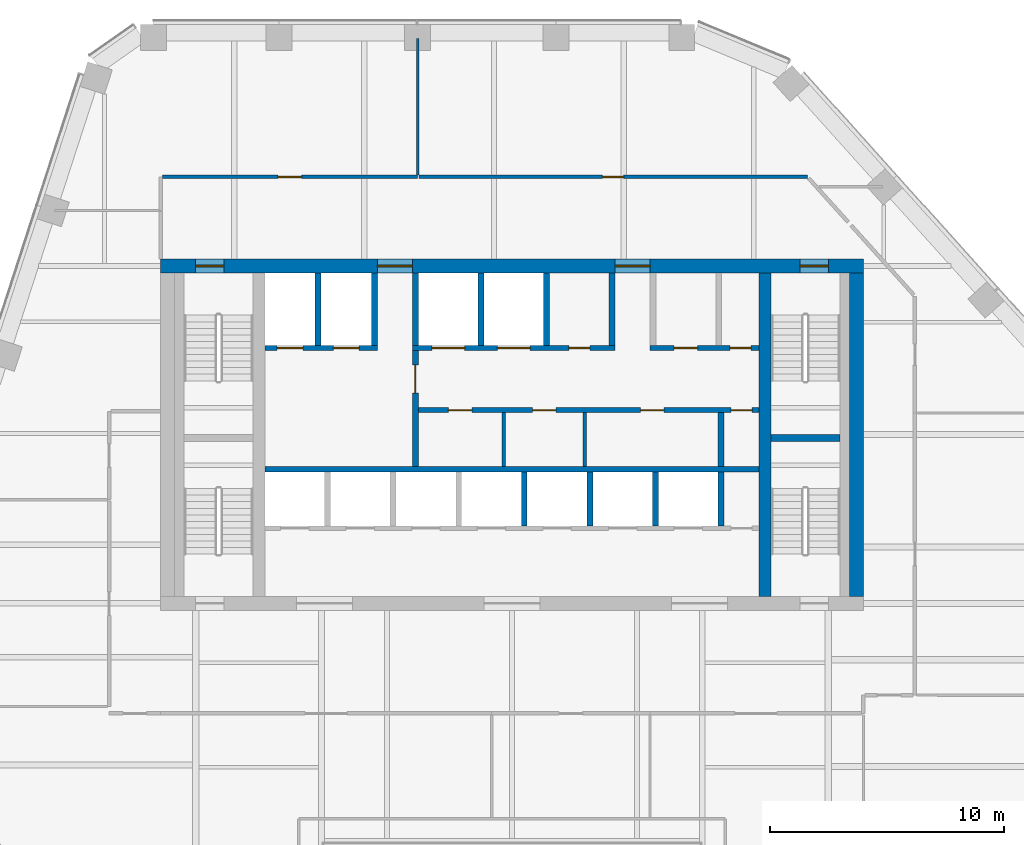
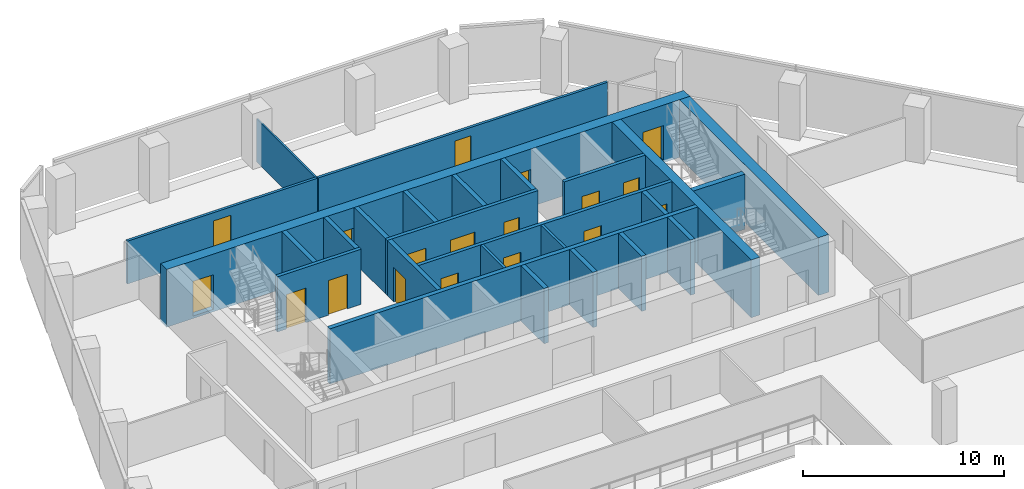
# One storey, part 10 of 16: 26 walls, 18 doors, 18 openings.
"""IFC4 building model written with IfcOpenShell, lengths in metres."""

from ifc_helpers import new_model, si_unit, direction, frame, frame_2d, origin, place, context, subcontext, project, spatial, rectangle, extrude, material, layer, layer_set, type_object, element, fill, save


model = new_model("IFC4")

# Units and contexts
model_context = context("Model", 3, precision=1e-05, world=origin(), true_north=direction((0.0, 1.0)))
body_context = subcontext(model_context, "Body", "Model", "MODEL_VIEW")
ifc_project = project(units=[si_unit("LENGTHUNIT", "METRE"), si_unit("AREAUNIT", "SQUARE_METRE"), si_unit("VOLUMEUNIT", "CUBIC_METRE"), si_unit("PLANEANGLEUNIT", "RADIAN"), si_unit("MASSUNIT", "GRAM", prefix="KILO")], contexts=[model_context])

# Site, building, storey
site_placement = place(None, origin())
site = spatial("IfcSite", under=ifc_project, at=site_placement, CompositionType="ELEMENT")
building_placement = place(site_placement, origin())
building = spatial("IfcBuilding", under=site, at=building_placement, Name="Isthmus Gate Tower", CompositionType="ELEMENT")
storey_placement = place(building_placement, frame((0.0, 0.0, 252.800048828125)))
storey = spatial("IfcBuildingStorey", under=building, at=storey_placement, Name="L64", CompositionType="ELEMENT", Elevation=252.800048828125)

# Wall, opening, door
ifc_material_1 = material(Name="Gypsum board on steel studs, fire-rated", Category="steel")
ifc_layer_1 = layer(ifc_material_1, 0.14990234375)
ifc_layer_set_1 = layer_set([ifc_layer_1], Name="CORRIDOR WALL 150 60 MIN")
wall_type_1 = type_object("IfcWallType", Name="CORRIDOR WALL 150 60 MIN", PredefinedType="PARTITIONING", material=ifc_layer_set_1)
wall_1_placement = place(storey_placement, frame((-14.925048828125, 18.5, 0.0), z_axis=(0.0, 0.0, 1.0), x_axis=(1.0, 0.0, 0.0)))
wall_1 = element("IfcWall", 1, at=wall_1_placement, inside=storey, type_object=wall_type_1, Name="L64 Corridor Wall 150 60 Min", PredefinedType="PARTITIONING", context=body_context, shape_type="SweptSolid", body=[
    extrude(rectangle(XDim=10.89501953125, YDim=0.14990234375, at=frame_2d((5.447509765625, 0.0))), origin(), (0.0, 0.0, 1.0), 2.6005859375),
])
opening_1_placement = place(wall_1_placement, frame((4.947509765625, 0.0, 0.0)))
opening_1 = element("IfcOpeningElement", 2, at=opening_1_placement, cuts=wall_1, Name="Opening DT-T5D-01", PredefinedType="OPENING", context=body_context, shape_type="SweptSolid", body=[
    extrude(rectangle(XDim=1.0, YDim=2.10009765625, at=frame_2d((0.5, 1.050048828125))), frame((0.0, 0.0849609375, 0.0), z_axis=(0.0, -1.0, 0.0), x_axis=(1.0, 0.0, 0.0)), (0.0, 0.0, 1.0), 0.169921875),
])
ifc_material_2 = material(Name="Solid core timber door leaf, fire-rated", Category="wood")
door_type_1 = type_object("IfcDoorType", Name="FIRE DOOR ROOM 1000 X 2100 60 MIN", OperationType="SINGLE_SWING_LEFT", PredefinedType="DOOR", material=ifc_material_2)
door_1_placement = place(opening_1_placement, origin())
door_1 = element("IfcDoor", 3, at=door_1_placement, inside=storey, type_object=door_type_1, Name="L64 room door", OperationType="SINGLE_SWING_RIGHT", OverallHeight=2.10009765625, OverallWidth=1.0, PredefinedType="DOOR", context=body_context, shape_type="SweptSolid", body=[
    extrude(rectangle(XDim=1.0, YDim=2.10009765625, at=frame_2d((0.5, 1.050048828125))), frame((0.0, 0.02490234375, 0.0), z_axis=(0.0, -1.0, 0.0), x_axis=(1.0, 0.0, 0.0)), (0.0, 0.0, 1.0), 0.050048828125),
])
fill(opening_1, door_1)

wall_2_placement = place(storey_placement, frame((-3.97998046875, 18.5, 0.0), z_axis=(0.0, 0.0, 1.0), x_axis=(1.0, 0.0, 0.0)))
wall_2 = element("IfcWall", 4, at=wall_2_placement, inside=storey, type_object=wall_type_1, Name="L64 Corridor Wall 150 60 Min", PredefinedType="PARTITIONING", context=body_context, shape_type="SweptSolid", body=[
    extrude(rectangle(XDim=16.594970703125, YDim=0.14990234375, at=frame_2d((8.29736328125, 0.0))), origin(), (0.0, 0.0, 1.0), 2.6005859375),
])
opening_2_placement = place(wall_2_placement, frame((7.847412109375, 0.0, 0.0)))
opening_2 = element("IfcOpeningElement", 5, at=opening_2_placement, cuts=wall_2, Name="Opening DT-T5D-02", PredefinedType="OPENING", context=body_context, shape_type="SweptSolid", body=[
    extrude(rectangle(XDim=0.89990234375, YDim=2.10009765625, at=frame_2d((0.449951171875, 1.050048828125))), frame((0.0, 0.0849609375, 0.0), z_axis=(0.0, -1.0, 0.0), x_axis=(1.0, 0.0, 0.0)), (0.0, 0.0, 1.0), 0.169921875),
])
ifc_material_3 = material(Name="Solid core timber door leaf, fire-rated", Category="wood")
door_type_2 = type_object("IfcDoorType", Name="FIRE DOOR ROOM 900 X 2100 60 MIN", OperationType="SINGLE_SWING_LEFT", PredefinedType="DOOR", material=ifc_material_3)
door_2_placement = place(opening_2_placement, origin())
door_2 = element("IfcDoor", 6, at=door_2_placement, inside=storey, type_object=door_type_2, Name="L64 room door", OperationType="SINGLE_SWING_RIGHT", OverallHeight=2.10009765625, OverallWidth=0.89990234375, PredefinedType="DOOR", context=body_context, shape_type="SweptSolid", body=[
    extrude(rectangle(XDim=0.89990234375, YDim=2.10009765625, at=frame_2d((0.449951171875, 1.050048828125))), frame((0.0, 0.02490234375, 0.0), z_axis=(0.0, -1.0, 0.0), x_axis=(1.0, 0.0, 0.0)), (0.0, 0.0, 1.0), 0.050048828125),
])
fill(opening_2, door_2)

ifc_material_4 = material(Name="Fire-rated blockwork masonry, 15 MPa", Category="masonry")
ifc_layer_2 = layer(ifc_material_4, 0.25)
ifc_layer_set_2 = layer_set([ifc_layer_2], Name="FIRE-FIGHTING LOBBY WALL 250 90 MIN")
wall_type_2 = type_object("IfcWallType", Name="FIRE-FIGHTING LOBBY WALL 250 90 MIN", PredefinedType="PARTITIONING", material=ifc_layer_set_2)
wall_3_placement = place(storey_placement, frame((-4.125, 6.14990234375, 0.0), z_axis=(0.0, 0.0, 1.0), x_axis=(0.0, 1.0, 0.0)))
wall_3 = element("IfcWall", 7, at=wall_3_placement, inside=storey, type_object=wall_type_2, Name="L64 FIRE-FIGHTING LOBBY WALL 250 90 MIN", PredefinedType="PARTITIONING", context=body_context, shape_type="SweptSolid", body=[
    extrude(rectangle(XDim=4.9501953125, YDim=0.25, at=frame_2d((2.47509765625, 0.0))), origin(), (0.0, 0.0, 1.0), 3.349853515625),
])
opening_3_placement = place(wall_3_placement, frame((3.125, 0.0, 0.0)))
opening_3 = element("IfcOpeningElement", 8, at=opening_3_placement, cuts=wall_3, Name="Opening DC-A18-01", PredefinedType="OPENING", context=body_context, shape_type="SweptSolid", body=[
    extrude(rectangle(XDim=1.199951171875, YDim=2.10009765625, at=frame_2d((0.60009765625, 1.050048828125))), frame((0.0, 0.135009765625, 0.0), z_axis=(0.0, -1.0, 0.0), x_axis=(1.0, 0.0, 0.0)), (0.0, 0.0, 1.0), 0.27001953125),
])
ifc_material_5 = material(Name="Steel door leaf, fire-rated", Category="steel")
door_type_3 = type_object("IfcDoorType", Name="LOBBY FIRE DOOR 1200 X 2100 90 MIN", OperationType="DOUBLE_DOOR_SINGLE_SWING", PredefinedType="DOOR", material=ifc_material_5)
door_3_placement = place(opening_3_placement, origin())
door_3 = element("IfcDoor", 9, at=door_3_placement, inside=storey, type_object=door_type_3, Name="Fire-fighting Lobby Door", OperationType="SINGLE_SWING_LEFT", OverallHeight=2.10009765625, OverallWidth=1.199951171875, PredefinedType="DOOR", context=body_context, shape_type="SweptSolid", body=[
    extrude(rectangle(XDim=1.199951171875, YDim=2.10009765625, at=frame_2d((0.60009765625, 1.050048828125))), frame((0.0, 0.02490234375, 0.0), z_axis=(0.0, -1.0, 0.0), x_axis=(1.0, 0.0, 0.0)), (0.0, 0.0, 1.0), 0.050048828125),
])
fill(opening_3, door_3)

# Wall
ifc_material_6 = material(Name="Concrete f'c 50 MPa", Category="concrete")
ifc_layer_3 = layer(ifc_material_6, 0.5)
ifc_layer_set_3 = layer_set([ifc_layer_3], Name="RC CORE SPINE WALL 500 F'C 50")
wall_type_3 = type_object("IfcWallType", Name="RC CORE SPINE WALL 500 F'C 50", PredefinedType="SOLIDWALL", material=ifc_layer_set_3)
wall_4_placement = place(storey_placement, frame((10.800048828125, 0.60009765625, -0.150146484375), z_axis=(0.0, 0.0, 1.0), x_axis=(0.0, 1.0, 0.0)))
element("IfcWall", 10, at=wall_4_placement, inside=storey, type_object=wall_type_3, Name="str-corewall-L64-SPE", PredefinedType="SOLIDWALL", context=body_context, shape_type="SweptSolid", body=[
    extrude(rectangle(XDim=13.7998046875, YDim=0.5, at=frame_2d((6.89990234375, 0.0))), origin(), (0.0, 0.0, 1.0), 3.5),
])

# Wall, openings, doors
ifc_material_7 = material(Name="Concrete f'c 50 MPa", Category="concrete")
ifc_layer_4 = layer(ifc_material_7, 0.60009765625)
ifc_layer_set_4 = layer_set([ifc_layer_4], Name="RC CORE WALL 600 F'C 50")
wall_type_4 = type_object("IfcWallType", Name="RC CORE WALL 600 F'C 50", PredefinedType="SOLIDWALL", material=ifc_layer_set_4)
wall_5_placement = place(storey_placement, frame((-15.0, 14.699951171875, -0.150146484375), z_axis=(0.0, 0.0, 1.0), x_axis=(1.0, 0.0, 0.0)))
wall_5 = element("IfcWall", 11, at=wall_5_placement, inside=storey, type_object=wall_type_4, Name="str-corewall-L64-N", PredefinedType="SOLIDWALL", context=body_context, shape_type="SweptSolid", body=[
    extrude(rectangle(XDim=30.0, YDim=0.60009765625, at=frame_2d((15.0, 0.0))), origin(), (0.0, 0.0, 1.0), 3.5),
])
opening_4_placement = place(wall_5_placement, frame((9.25, 0.0, 0.14990234375)))
opening_4 = element("IfcOpeningElement", 12, at=opening_4_placement, cuts=wall_5, Name="Opening DC-A18-13", PredefinedType="OPENING", context=body_context, shape_type="SweptSolid", body=[
    extrude(rectangle(XDim=1.5, YDim=2.10009765625, at=frame_2d((0.75, 1.050048828125))), frame((0.0, 0.31005859375, 0.0), z_axis=(0.0, -1.0, 0.0), x_axis=(1.0, 0.0, 0.0)), (0.0, 0.0, 1.0), 0.6201171875),
])
opening_5_placement = place(wall_5_placement, frame((19.39990234375, 0.0, 0.14990234375)))
opening_5 = element("IfcOpeningElement", 13, at=opening_5_placement, cuts=wall_5, Name="Opening DC-A18-14", PredefinedType="OPENING", context=body_context, shape_type="SweptSolid", body=[
    extrude(rectangle(XDim=1.5, YDim=2.10009765625, at=frame_2d((0.75, 1.050048828125))), frame((0.0, 0.31005859375, 0.0), z_axis=(0.0, -1.0, 0.0), x_axis=(1.0, 0.0, 0.0)), (0.0, 0.0, 1.0), 0.6201171875),
])
opening_6_placement = place(wall_5_placement, frame((1.5, 0.0, 0.14990234375)))
opening_6 = element("IfcOpeningElement", 14, at=opening_6_placement, cuts=wall_5, Name="Opening DC-A18-15", PredefinedType="OPENING", context=body_context, shape_type="SweptSolid", body=[
    extrude(rectangle(XDim=1.199951171875, YDim=2.10009765625, at=frame_2d((0.60009765625, 1.050048828125))), frame((0.0, 0.31005859375, 0.0), z_axis=(0.0, -1.0, 0.0), x_axis=(1.0, 0.0, 0.0)), (0.0, 0.0, 1.0), 0.6201171875),
])
opening_7_placement = place(wall_5_placement, frame((27.300048828125, 0.0, 0.14990234375)))
opening_7 = element("IfcOpeningElement", 15, at=opening_7_placement, cuts=wall_5, Name="Opening DC-A18-16", PredefinedType="OPENING", context=body_context, shape_type="SweptSolid", body=[
    extrude(rectangle(XDim=1.199951171875, YDim=2.10009765625, at=frame_2d((0.60009765625, 1.050048828125))), frame((0.0, 0.31005859375, 0.0), z_axis=(0.0, -1.0, 0.0), x_axis=(1.0, 0.0, 0.0)), (0.0, 0.0, 1.0), 0.6201171875),
])
ifc_material_8 = material(Name="Steel door leaf, fire-rated", Category="steel")
door_type_4 = type_object("IfcDoorType", Name="LOBBY FIRE DOOR 1500 X 2100 60 MIN", OperationType="DOUBLE_DOOR_SINGLE_SWING", PredefinedType="DOOR", material=ifc_material_8)
door_4_placement = place(opening_5_placement, origin())
door_4 = element("IfcDoor", 16, at=door_4_placement, inside=storey, type_object=door_type_4, Name="Lobby Door PN-E", OperationType="DOUBLE_DOOR_SINGLE_SWING", OverallHeight=2.10009765625, OverallWidth=1.5, PredefinedType="DOOR", context=body_context, shape_type="SweptSolid", body=[
    extrude(rectangle(XDim=1.5, YDim=2.10009765625, at=frame_2d((0.75, 1.050048828125))), frame((0.0, 0.02490234375, 0.0), z_axis=(0.0, -1.0, 0.0), x_axis=(1.0, 0.0, 0.0)), (0.0, 0.0, 1.0), 0.050048828125),
])
fill(opening_5, door_4)
ifc_material_9 = material(Name="Steel door leaf, fire-rated", Category="steel")
door_type_5 = type_object("IfcDoorType", Name="LOBBY FIRE DOOR 1500 X 2100 90 MIN", OperationType="DOUBLE_DOOR_SINGLE_SWING", PredefinedType="DOOR", material=ifc_material_9)
door_5_placement = place(opening_4_placement, origin())
door_5 = element("IfcDoor", 17, at=door_5_placement, inside=storey, type_object=door_type_5, Name="Lobby Door PN-W", OperationType="DOUBLE_DOOR_SINGLE_SWING", OverallHeight=2.10009765625, OverallWidth=1.5, PredefinedType="DOOR", context=body_context, shape_type="SweptSolid", body=[
    extrude(rectangle(XDim=1.5, YDim=2.10009765625, at=frame_2d((0.75, 1.050048828125))), frame((0.0, 0.02490234375, 0.0), z_axis=(0.0, -1.0, 0.0), x_axis=(1.0, 0.0, 0.0)), (0.0, 0.0, 1.0), 0.050048828125),
])
fill(opening_4, door_5)
ifc_material_10 = material(Name="Steel door leaf, fire-rated", Category="steel")
door_type_6 = type_object("IfcDoorType", Name="STAIR FIRE DOOR 1200 X 2100 90 MIN", OperationType="SINGLE_SWING_LEFT", PredefinedType="DOOR", material=ifc_material_10)
door_6_placement = place(opening_6_placement, origin())
door_6 = element("IfcDoor", 18, at=door_6_placement, inside=storey, type_object=door_type_6, Name="Exit Stair 1 Door", OperationType="SINGLE_SWING_RIGHT", OverallHeight=2.10009765625, OverallWidth=1.199951171875, PredefinedType="DOOR", context=body_context, shape_type="SweptSolid", body=[
    extrude(rectangle(XDim=1.199951171875, YDim=2.10009765625, at=frame_2d((0.60009765625, 1.050048828125))), frame((0.0, 0.02490234375, 0.0), z_axis=(0.0, -1.0, 0.0), x_axis=(1.0, 0.0, 0.0)), (0.0, 0.0, 1.0), 0.050048828125),
])
fill(opening_6, door_6)
door_7_placement = place(opening_7_placement, origin())
door_7 = element("IfcDoor", 19, at=door_7_placement, inside=storey, type_object=door_type_6, Name="Exit Stair 2 Door", OperationType="SINGLE_SWING_LEFT", OverallHeight=2.10009765625, OverallWidth=1.199951171875, PredefinedType="DOOR", context=body_context, shape_type="SweptSolid", body=[
    extrude(rectangle(XDim=1.199951171875, YDim=2.10009765625, at=frame_2d((0.60009765625, 1.050048828125))), frame((0.0, 0.02490234375, 0.0), z_axis=(0.0, -1.0, 0.0), x_axis=(1.0, 0.0, 0.0)), (0.0, 0.0, 1.0), 0.050048828125),
])
fill(opening_7, door_7)

# Walls
wall_6_placement = place(storey_placement, frame((14.699951171875, 0.60009765625, -0.150146484375), z_axis=(0.0, 0.0, 1.0), x_axis=(0.0, 1.0, 0.0)))
element("IfcWall", 20, at=wall_6_placement, inside=storey, type_object=wall_type_4, Name="str-corewall-L64-E", PredefinedType="SOLIDWALL", context=body_context, shape_type="SweptSolid", body=[
    extrude(rectangle(XDim=13.7998046875, YDim=0.60009765625, at=frame_2d((6.89990234375, 0.0))), origin(), (0.0, 0.0, 1.0), 3.5),
])
ifc_material_11 = material(Name="Gypsum board on steel studs, fire-rated", Category="steel")
ifc_layer_5 = layer(ifc_material_11, 0.10009765625)
ifc_layer_set_5 = layer_set([ifc_layer_5], Name="ROOM PARTITION 100 30 MIN")
wall_type_5 = type_object("IfcWallType", Name="ROOM PARTITION 100 30 MIN", PredefinedType="PARTITIONING", material=ifc_layer_set_5)
wall_7_placement = place(storey_placement, frame((-4.030029296875, 18.574951171875, 0.0), z_axis=(0.0, 0.0, 1.0), x_axis=(0.0, 1.0, 0.0)))
element("IfcWall", 21, at=wall_7_placement, inside=storey, type_object=wall_type_5, Name="L64 Room Partition 100 30 Min", PredefinedType="PARTITIONING", context=body_context, shape_type="SweptSolid", body=[
    extrude(rectangle(XDim=5.824951171875, YDim=0.10009765625, at=frame_2d((2.91259765625, 0.0))), origin(), (0.0, 0.0, 1.0), 2.6005859375),
])
ifc_material_12 = material(Name="Gypsum board on steel studs, fire-rated", Category="steel")
ifc_layer_6 = layer(ifc_material_12, 0.14990234375)
ifc_layer_set_6 = layer_set([ifc_layer_6], Name="ROOM PARTITION 150 60 MIN")
wall_type_6 = type_object("IfcWallType", Name="ROOM PARTITION 150 60 MIN", PredefinedType="PARTITIONING", material=ifc_layer_set_6)
for number, where, z_axis, x_axis, name in (
    (22, (-0.35009765625, 6.14990234375, 0.0), (0.0, 0.0, 1.0), (0.0, 1.0, 0.0), "L64 ROOM PARTITION 150 60 MIN"),
    (23, (3.10009765625, 6.14990234375, 0.0), (0.0, 0.0, 1.0), (0.0, 1.0, 0.0), "L64 ROOM PARTITION 150 60 MIN"),
):
    element("IfcWall", number, at=place(storey_placement, frame(where, z_axis=z_axis, x_axis=x_axis)), inside=storey, type_object=wall_type_6, Name=name, PredefinedType="PARTITIONING", context=body_context, shape_type="SweptSolid", body=[
        extrude(rectangle(XDim=2.300048828125, YDim=0.14990234375, at=frame_2d((1.14990234375, 0.0))), origin(), (0.0, 0.0, 1.0), 3.349853515625),
    ])

# Wall, openings, doors
ifc_material_13 = material(Name="Fire-rated blockwork masonry, 15 MPa", Category="masonry")
ifc_layer_7 = layer(ifc_material_13, 0.199951171875)
ifc_layer_set_7 = layer_set([ifc_layer_7], Name="SHAFT FRONT WALL 200 120 MIN")
wall_type_7 = type_object("IfcWallType", Name="SHAFT FRONT WALL 200 120 MIN", PredefinedType="PARTITIONING", material=ifc_layer_set_7)
wall_8_placement = place(storey_placement, frame((-4.125, 8.550048828125, 0.0), z_axis=(0.0, 0.0, 1.0), x_axis=(1.0, 0.0, 0.0)))
wall_8 = element("IfcWall", 24, at=wall_8_placement, inside=storey, type_object=wall_type_7, Name="L64 SHAFT FRONT WALL 200 120 MIN", PredefinedType="PARTITIONING", context=body_context, shape_type="SweptSolid", body=[
    extrude(rectangle(XDim=14.675048828125, YDim=0.199951171875, at=frame_2d((7.33740234375, 0.0))), origin(), (0.0, 0.0, 1.0), 3.349853515625),
])
opening_8_placement = place(wall_8_placement, frame((1.41259765625, 0.0, 0.0)))
opening_8 = element("IfcOpeningElement", 25, at=opening_8_placement, cuts=wall_8, Name="Opening DC-A18-03", PredefinedType="OPENING", context=body_context, shape_type="SweptSolid", body=[
    extrude(rectangle(XDim=1.0, YDim=2.10009765625, at=frame_2d((0.5, 1.050048828125))), frame((0.0, 0.10986328125, 0.0), z_axis=(0.0, -1.0, 0.0), x_axis=(1.0, 0.0, 0.0)), (0.0, 0.0, 1.0), 0.219970703125),
])
opening_9_placement = place(wall_8_placement, frame((5.0, 0.0, 0.0)))
opening_9 = element("IfcOpeningElement", 26, at=opening_9_placement, cuts=wall_8, Name="Opening DC-A18-04", PredefinedType="OPENING", context=body_context, shape_type="SweptSolid", body=[
    extrude(rectangle(XDim=1.0, YDim=2.10009765625, at=frame_2d((0.5, 1.050048828125))), frame((0.0, 0.10986328125, 0.0), z_axis=(0.0, -1.0, 0.0), x_axis=(1.0, 0.0, 0.0)), (0.0, 0.0, 1.0), 0.219970703125),
])
opening_10_placement = place(wall_8_placement, frame((9.612548828125, 0.0, 0.0)))
opening_10 = element("IfcOpeningElement", 27, at=opening_10_placement, cuts=wall_8, Name="Opening DC-A18-05", PredefinedType="OPENING", context=body_context, shape_type="SweptSolid", body=[
    extrude(rectangle(XDim=1.0, YDim=2.10009765625, at=frame_2d((0.5, 1.050048828125))), frame((0.0, 0.10986328125, 0.0), z_axis=(0.0, -1.0, 0.0), x_axis=(1.0, 0.0, 0.0)), (0.0, 0.0, 1.0), 0.219970703125),
])
opening_11_placement = place(wall_8_placement, frame((13.47509765625, 0.0, 0.0)))
opening_11 = element("IfcOpeningElement", 28, at=opening_11_placement, cuts=wall_8, Name="Opening DC-A18-06", PredefinedType="OPENING", context=body_context, shape_type="SweptSolid", body=[
    extrude(rectangle(XDim=0.89990234375, YDim=2.10009765625, at=frame_2d((0.449951171875, 1.050048828125))), frame((0.0, 0.10986328125, 0.0), z_axis=(0.0, -1.0, 0.0), x_axis=(1.0, 0.0, 0.0)), (0.0, 0.0, 1.0), 0.219970703125),
])
ifc_material_14 = material(Name="Steel door leaf, fire-rated", Category="steel")
door_type_7 = type_object("IfcDoorType", Name="FIRE DOOR 1000 X 2100 60 MIN", OperationType="SINGLE_SWING_LEFT", PredefinedType="DOOR", material=ifc_material_14)
door_8_placement = place(opening_8_placement, origin())
door_8 = element("IfcDoor", 29, at=door_8_placement, inside=storey, type_object=door_type_7, Name="WC Women Door", OperationType="SINGLE_SWING_LEFT", OverallHeight=2.10009765625, OverallWidth=1.0, PredefinedType="DOOR", context=body_context, shape_type="SweptSolid", body=[
    extrude(rectangle(XDim=1.0, YDim=2.10009765625, at=frame_2d((0.5, 1.050048828125))), frame((0.0, 0.02490234375, 0.0), z_axis=(0.0, -1.0, 0.0), x_axis=(1.0, 0.0, 0.0)), (0.0, 0.0, 1.0), 0.050048828125),
])
fill(opening_8, door_8)
door_9_placement = place(opening_9_placement, origin())
door_9 = element("IfcDoor", 30, at=door_9_placement, inside=storey, type_object=door_type_7, Name="WC Men Door", OperationType="SINGLE_SWING_RIGHT", OverallHeight=2.10009765625, OverallWidth=1.0, PredefinedType="DOOR", context=body_context, shape_type="SweptSolid", body=[
    extrude(rectangle(XDim=1.0, YDim=2.10009765625, at=frame_2d((0.5, 1.050048828125))), frame((0.0, 0.02490234375, 0.0), z_axis=(0.0, -1.0, 0.0), x_axis=(1.0, 0.0, 0.0)), (0.0, 0.0, 1.0), 0.050048828125),
])
fill(opening_9, door_9)
door_10_placement = place(opening_10_placement, origin())
door_10 = element("IfcDoor", 31, at=door_10_placement, inside=storey, type_object=door_type_7, Name="Accessible WC Door", OperationType="SINGLE_SWING_LEFT", OverallHeight=2.10009765625, OverallWidth=1.0, PredefinedType="DOOR", context=body_context, shape_type="SweptSolid", body=[
    extrude(rectangle(XDim=1.0, YDim=2.10009765625, at=frame_2d((0.5, 1.050048828125))), frame((0.0, 0.02490234375, 0.0), z_axis=(0.0, -1.0, 0.0), x_axis=(1.0, 0.0, 0.0)), (0.0, 0.0, 1.0), 0.050048828125),
])
fill(opening_10, door_10)
ifc_material_15 = material(Name="Steel door leaf, fire-rated", Category="steel")
door_type_8 = type_object("IfcDoorType", Name="RISER FIRE DOOR 900 X 2100 90 MIN", OperationType="SINGLE_SWING_LEFT", PredefinedType="DOOR", material=ifc_material_15)
door_11_placement = place(opening_11_placement, origin())
door_11 = element("IfcDoor", 32, at=door_11_placement, inside=storey, type_object=door_type_8, Name="Riser Door", OperationType="SINGLE_SWING_RIGHT", OverallHeight=2.10009765625, OverallWidth=0.89990234375, PredefinedType="DOOR", context=body_context, shape_type="SweptSolid", body=[
    extrude(rectangle(XDim=0.89990234375, YDim=2.10009765625, at=frame_2d((0.449951171875, 1.050048828125))), frame((0.0, 0.02490234375, 0.0), z_axis=(0.0, -1.0, 0.0), x_axis=(1.0, 0.0, 0.0)), (0.0, 0.0, 1.0), 0.050048828125),
])
fill(opening_11, door_11)

wall_9_placement = place(storey_placement, frame((-10.550048828125, 11.199951171875, 0.0), z_axis=(0.0, 0.0, 1.0), x_axis=(1.0, 0.0, 0.0)))
wall_9 = element("IfcWall", 33, at=wall_9_placement, inside=storey, type_object=wall_type_7, Name="L64 SHAFT FRONT WALL 200 120 MIN", PredefinedType="PARTITIONING", context=body_context, shape_type="SweptSolid", body=[
    extrude(rectangle(XDim=4.800048828125, YDim=0.199951171875, at=frame_2d((2.39990234375, 0.0))), origin(), (0.0, 0.0, 1.0), 3.349853515625),
])
opening_12_placement = place(wall_9_placement, frame((0.52490234375, 0.0, 0.0)))
opening_12 = element("IfcOpeningElement", 34, at=opening_12_placement, cuts=wall_9, Name="Opening LD-LF1", PredefinedType="OPENING", context=body_context, shape_type="SweptSolid", body=[
    extrude(rectangle(XDim=1.10009765625, YDim=2.10009765625, at=frame_2d((0.550048828125, 1.050048828125))), frame((0.0, 0.10986328125, 0.0), z_axis=(0.0, -1.0, 0.0), x_axis=(1.0, 0.0, 0.0)), (0.0, 0.0, 1.0), 0.219970703125),
])
opening_13_placement = place(wall_9_placement, frame((2.925048828125, 0.0, 0.0)))
opening_13 = element("IfcOpeningElement", 35, at=opening_13_placement, cuts=wall_9, Name="Opening LD-LF2", PredefinedType="OPENING", context=body_context, shape_type="SweptSolid", body=[
    extrude(rectangle(XDim=1.10009765625, YDim=2.10009765625, at=frame_2d((0.550048828125, 1.050048828125))), frame((0.0, 0.10986328125, 0.0), z_axis=(0.0, -1.0, 0.0), x_axis=(1.0, 0.0, 0.0)), (0.0, 0.0, 1.0), 0.219970703125),
])
ifc_material_16 = material(Name="Stainless steel sliding leaf", Category="steel")
door_type_9 = type_object("IfcDoorType", Name="LIFT LANDING FIRE DOOR 1100 X 2100 90 MIN", OperationType="DOUBLE_DOOR_SLIDING", PredefinedType="DOOR", material=ifc_material_16)
door_12_placement = place(opening_12_placement, origin())
door_12 = element("IfcDoor", 36, at=door_12_placement, inside=storey, type_object=door_type_9, Name="Lift Landing Door LF1", OperationType="DOUBLE_DOOR_SLIDING", OverallHeight=2.10009765625, OverallWidth=1.10009765625, PredefinedType="DOOR", context=body_context, shape_type="SweptSolid", body=[
    extrude(rectangle(XDim=1.10009765625, YDim=2.10009765625, at=frame_2d((0.550048828125, 1.050048828125))), frame((0.0, 0.02490234375, 0.0), z_axis=(0.0, -1.0, 0.0), x_axis=(1.0, 0.0, 0.0)), (0.0, 0.0, 1.0), 0.050048828125),
])
fill(opening_12, door_12)
door_13_placement = place(opening_13_placement, origin())
door_13 = element("IfcDoor", 37, at=door_13_placement, inside=storey, type_object=door_type_9, Name="Lift Landing Door LF2", OperationType="DOUBLE_DOOR_SLIDING", OverallHeight=2.10009765625, OverallWidth=1.10009765625, PredefinedType="DOOR", context=body_context, shape_type="SweptSolid", body=[
    extrude(rectangle(XDim=1.10009765625, YDim=2.10009765625, at=frame_2d((0.550048828125, 1.050048828125))), frame((0.0, 0.02490234375, 0.0), z_axis=(0.0, -1.0, 0.0), x_axis=(1.0, 0.0, 0.0)), (0.0, 0.0, 1.0), 0.050048828125),
])
fill(opening_13, door_13)

wall_10_placement = place(storey_placement, frame((-4.25, 11.199951171875, 0.0), z_axis=(0.0, 0.0, 1.0), x_axis=(1.0, 0.0, 0.0)))
wall_10 = element("IfcWall", 38, at=wall_10_placement, inside=storey, type_object=wall_type_7, Name="L64 SHAFT FRONT WALL 200 120 MIN", PredefinedType="PARTITIONING", context=body_context, shape_type="SweptSolid", body=[
    extrude(rectangle(XDim=8.64990234375, YDim=0.199951171875, at=frame_2d((4.324951171875, 0.0))), origin(), (0.0, 0.0, 1.0), 3.349853515625),
])
opening_14_placement = place(wall_10_placement, frame((0.824951171875, 0.0, 0.0)))
opening_14 = element("IfcOpeningElement", 39, at=opening_14_placement, cuts=wall_10, Name="Opening LD-LV1", PredefinedType="OPENING", context=body_context, shape_type="SweptSolid", body=[
    extrude(rectangle(XDim=1.39990234375, YDim=2.10009765625, at=frame_2d((0.699951171875, 1.050048828125))), frame((0.0, 0.10986328125, 0.0), z_axis=(0.0, -1.0, 0.0), x_axis=(1.0, 0.0, 0.0)), (0.0, 0.0, 1.0), 0.219970703125),
])
opening_15_placement = place(wall_10_placement, frame((3.625, 0.0, 0.0)))
opening_15 = element("IfcOpeningElement", 40, at=opening_15_placement, cuts=wall_10, Name="Opening LD-LV2", PredefinedType="OPENING", context=body_context, shape_type="SweptSolid", body=[
    extrude(rectangle(XDim=1.39990234375, YDim=2.10009765625, at=frame_2d((0.699951171875, 1.050048828125))), frame((0.0, 0.10986328125, 0.0), z_axis=(0.0, -1.0, 0.0), x_axis=(1.0, 0.0, 0.0)), (0.0, 0.0, 1.0), 0.219970703125),
])
opening_16_placement = place(wall_10_placement, frame((6.675048828125, 0.0, 0.0)))
opening_16 = element("IfcOpeningElement", 41, at=opening_16_placement, cuts=wall_10, Name="Opening DC-A18-07", PredefinedType="OPENING", context=body_context, shape_type="SweptSolid", body=[
    extrude(rectangle(XDim=0.89990234375, YDim=2.10009765625, at=frame_2d((0.449951171875, 1.050048828125))), frame((0.0, 0.10986328125, 0.0), z_axis=(0.0, -1.0, 0.0), x_axis=(1.0, 0.0, 0.0)), (0.0, 0.0, 1.0), 0.219970703125),
])
ifc_material_17 = material(Name="Steel door leaf, fire-rated", Category="steel")
door_type_10 = type_object("IfcDoorType", Name="FIRE DOOR 900 X 2100 60 MIN", OperationType="SINGLE_SWING_LEFT", PredefinedType="DOOR", material=ifc_material_17)
door_14_placement = place(opening_16_placement, origin())
door_14 = element("IfcDoor", 42, at=door_14_placement, inside=storey, type_object=door_type_10, Name="Cleaner Store Door", OperationType="SINGLE_SWING_LEFT", OverallHeight=2.10009765625, OverallWidth=0.89990234375, PredefinedType="DOOR", context=body_context, shape_type="SweptSolid", body=[
    extrude(rectangle(XDim=0.89990234375, YDim=2.10009765625, at=frame_2d((0.449951171875, 1.050048828125))), frame((0.0, 0.02490234375, 0.0), z_axis=(0.0, -1.0, 0.0), x_axis=(1.0, 0.0, 0.0)), (0.0, 0.0, 1.0), 0.050048828125),
])
fill(opening_16, door_14)
ifc_material_18 = material(Name="Stainless steel sliding leaf", Category="steel")
door_type_11 = type_object("IfcDoorType", Name="LIFT LANDING FIRE DOOR 1400 X 2100 90 MIN", OperationType="DOUBLE_DOOR_SLIDING", PredefinedType="DOOR", material=ifc_material_18)
door_15_placement = place(opening_14_placement, origin())
door_15 = element("IfcDoor", 43, at=door_15_placement, inside=storey, type_object=door_type_11, Name="Lift Landing Door LV1", OperationType="DOUBLE_DOOR_SLIDING", OverallHeight=2.10009765625, OverallWidth=1.39990234375, PredefinedType="DOOR", context=body_context, shape_type="SweptSolid", body=[
    extrude(rectangle(XDim=1.39990234375, YDim=2.10009765625, at=frame_2d((0.699951171875, 1.050048828125))), frame((0.0, 0.02490234375, 0.0), z_axis=(0.0, -1.0, 0.0), x_axis=(1.0, 0.0, 0.0)), (0.0, 0.0, 1.0), 0.050048828125),
])
fill(opening_14, door_15)
door_16_placement = place(opening_15_placement, origin())
door_16 = element("IfcDoor", 44, at=door_16_placement, inside=storey, type_object=door_type_11, Name="Lift Landing Door LV2", OperationType="DOUBLE_DOOR_SLIDING", OverallHeight=2.10009765625, OverallWidth=1.39990234375, PredefinedType="DOOR", context=body_context, shape_type="SweptSolid", body=[
    extrude(rectangle(XDim=1.39990234375, YDim=2.10009765625, at=frame_2d((0.699951171875, 1.050048828125))), frame((0.0, 0.02490234375, 0.0), z_axis=(0.0, -1.0, 0.0), x_axis=(1.0, 0.0, 0.0)), (0.0, 0.0, 1.0), 0.050048828125),
])
fill(opening_15, door_16)

wall_11_placement = place(storey_placement, frame((5.89990234375, 11.199951171875, 0.0), z_axis=(0.0, 0.0, 1.0), x_axis=(1.0, 0.0, 0.0)))
wall_11 = element("IfcWall", 45, at=wall_11_placement, inside=storey, type_object=wall_type_7, Name="L64 SHAFT FRONT WALL 200 120 MIN", PredefinedType="PARTITIONING", context=body_context, shape_type="SweptSolid", body=[
    extrude(rectangle(XDim=4.650146484375, YDim=0.199951171875, at=frame_2d((2.3251953125, 0.0))), origin(), (0.0, 0.0, 1.0), 3.349853515625),
])
opening_17_placement = place(wall_11_placement, frame((1.02490234375, 0.0, 0.0)))
opening_17 = element("IfcOpeningElement", 46, at=opening_17_placement, cuts=wall_11, Name="Opening DC-A18-08", PredefinedType="OPENING", context=body_context, shape_type="SweptSolid", body=[
    extrude(rectangle(XDim=1.0, YDim=2.10009765625, at=frame_2d((0.5, 1.050048828125))), frame((0.0, 0.10986328125, 0.0), z_axis=(0.0, -1.0, 0.0), x_axis=(1.0, 0.0, 0.0)), (0.0, 0.0, 1.0), 0.219970703125),
])
opening_18_placement = place(wall_11_placement, frame((3.39990234375, 0.0, 0.0)))
opening_18 = element("IfcOpeningElement", 47, at=opening_18_placement, cuts=wall_11, Name="Opening DC-A18-09", PredefinedType="OPENING", context=body_context, shape_type="SweptSolid", body=[
    extrude(rectangle(XDim=0.89990234375, YDim=2.10009765625, at=frame_2d((0.449951171875, 1.050048828125))), frame((0.0, 0.10986328125, 0.0), z_axis=(0.0, -1.0, 0.0), x_axis=(1.0, 0.0, 0.0)), (0.0, 0.0, 1.0), 0.219970703125),
])
door_17_placement = place(opening_17_placement, origin())
door_17 = element("IfcDoor", 48, at=door_17_placement, inside=storey, type_object=door_type_7, Name="Pantry Door", OperationType="SINGLE_SWING_RIGHT", OverallHeight=2.10009765625, OverallWidth=1.0, PredefinedType="DOOR", context=body_context, shape_type="SweptSolid", body=[
    extrude(rectangle(XDim=1.0, YDim=2.10009765625, at=frame_2d((0.5, 1.050048828125))), frame((0.0, 0.02490234375, 0.0), z_axis=(0.0, -1.0, 0.0), x_axis=(1.0, 0.0, 0.0)), (0.0, 0.0, 1.0), 0.050048828125),
])
fill(opening_17, door_17)
door_18_placement = place(opening_18_placement, origin())
door_18 = element("IfcDoor", 49, at=door_18_placement, inside=storey, type_object=door_type_8, Name="Riser Door", OperationType="SINGLE_SWING_LEFT", OverallHeight=2.10009765625, OverallWidth=0.89990234375, PredefinedType="DOOR", context=body_context, shape_type="SweptSolid", body=[
    extrude(rectangle(XDim=0.89990234375, YDim=2.10009765625, at=frame_2d((0.449951171875, 1.050048828125))), frame((0.0, 0.02490234375, 0.0), z_axis=(0.0, -1.0, 0.0), x_axis=(1.0, 0.0, 0.0)), (0.0, 0.0, 1.0), 0.050048828125),
])
fill(opening_18, door_18)

# Walls
ifc_material_19 = material(Name="Fire-rated blockwork masonry, 15 MPa", Category="masonry")
ifc_layer_8 = layer(ifc_material_19, 0.25)
ifc_layer_set_8 = layer_set([ifc_layer_8], Name="SHAFT WALL 250 120 MIN")
wall_type_8 = type_object("IfcWallType", Name="SHAFT WALL 250 120 MIN", PredefinedType="PARTITIONING", material=ifc_layer_set_8)
wall_12_placement = place(storey_placement, frame((-10.550048828125, 6.02490234375, 0.0), z_axis=(0.0, 0.0, 1.0), x_axis=(1.0, 0.0, 0.0)))
element("IfcWall", 50, at=wall_12_placement, inside=storey, type_object=wall_type_8, Name="L64 SHAFT WALL 250 120 MIN", PredefinedType="PARTITIONING", context=body_context, shape_type="SweptSolid", body=[
    extrude(rectangle(XDim=21.10009765625, YDim=0.25, at=frame_2d((10.550048828125, 0.0))), origin(), (0.0, 0.0, 1.0), 3.349853515625),
])
for number, where, z_axis, x_axis, name in (
    (51, (0.52490234375, 3.60009765625, 0.0), (0.0, 0.0, 1.0), (0.0, 1.0, 0.0), "L64 SHAFT WALL 250 120 MIN"),
    (52, (3.324951171875, 3.60009765625, 0.0), (0.0, 0.0, 1.0), (0.0, 1.0, 0.0), "L64 SHAFT WALL 250 120 MIN"),
    (53, (6.125, 3.60009765625, 0.0), (0.0, 0.0, 1.0), (0.0, 1.0, 0.0), "L64 SHAFT WALL 250 120 MIN"),
    (54, (8.925048828125, 3.60009765625, 0.0), (0.0, 0.0, 1.0), (0.0, 1.0, 0.0), "L64 SHAFT WALL 250 120 MIN"),
):
    element("IfcWall", number, at=place(storey_placement, frame(where, z_axis=z_axis, x_axis=x_axis)), inside=storey, type_object=wall_type_8, Name=name, PredefinedType="PARTITIONING", context=body_context, shape_type="SweptSolid", body=[
        extrude(rectangle(XDim=2.2998046875, YDim=0.25, at=frame_2d((1.14990234375, 0.0))), origin(), (0.0, 0.0, 1.0), 3.349853515625),
    ])
wall_13_placement = place(storey_placement, frame((8.925048828125, 6.14990234375, 0.0), z_axis=(0.0, 0.0, 1.0), x_axis=(0.0, 1.0, 0.0)))
element("IfcWall", 55, at=wall_13_placement, inside=storey, type_object=wall_type_8, Name="L64 SHAFT WALL 250 120 MIN", PredefinedType="PARTITIONING", context=body_context, shape_type="SweptSolid", body=[
    extrude(rectangle(XDim=2.300048828125, YDim=0.25, at=frame_2d((1.14990234375, 0.0))), origin(), (0.0, 0.0, 1.0), 3.349853515625),
])
for number, where, z_axis, x_axis, name in (
    (56, (-8.27490234375, 11.300048828125, 0.0), (0.0, 0.0, 1.0), (0.0, 1.0, 0.0), "L64 SHAFT WALL 250 120 MIN"),
    (57, (-5.875, 11.300048828125, 0.0), (0.0, 0.0, 1.0), (0.0, 1.0, 0.0), "L64 SHAFT WALL 250 120 MIN"),
    (58, (-4.125, 11.300048828125, 0.0), (0.0, 0.0, 1.0), (0.0, 1.0, 0.0), "L64 SHAFT WALL 250 120 MIN"),
    (59, (-1.324951171875, 11.300048828125, 0.0), (0.0, 0.0, 1.0), (0.0, 1.0, 0.0), "L64 SHAFT WALL 250 120 MIN"),
    (60, (1.47509765625, 11.300048828125, 0.0), (0.0, 0.0, 1.0), (0.0, 1.0, 0.0), "L64 SHAFT WALL 250 120 MIN"),
    (61, (4.27490234375, 11.300048828125, 0.0), (0.0, 0.0, 1.0), (0.0, 1.0, 0.0), "L64 SHAFT WALL 250 120 MIN"),
):
    element("IfcWall", number, at=place(storey_placement, frame(where, z_axis=z_axis, x_axis=x_axis)), inside=storey, type_object=wall_type_8, Name=name, PredefinedType="PARTITIONING", context=body_context, shape_type="SweptSolid", body=[
        extrude(rectangle(XDim=3.099853515625, YDim=0.25, at=frame_2d((1.5498046875, 0.0))), origin(), (0.0, 0.0, 1.0), 3.349853515625),
    ])
ifc_material_20 = material(Name="Concrete f'c 40 MPa", Category="concrete")
ifc_layer_9 = layer(ifc_material_20, 0.300048828125)
ifc_layer_set_9 = layer_set([ifc_layer_9], Name="STAIR ENCLOSURE WALL 300 180 MIN")
wall_type_9 = type_object("IfcWallType", Name="STAIR ENCLOSURE WALL 300 180 MIN", PredefinedType="SOLIDWALL", material=ifc_layer_set_9)
wall_14_placement = place(storey_placement, frame((11.050048828125, 7.35009765625, 0.0), z_axis=(0.0, 0.0, 1.0), x_axis=(1.0, 0.0, 0.0)))
element("IfcWall", 62, at=wall_14_placement, inside=storey, type_object=wall_type_9, Name="L64 STAIR ENCLOSURE WALL 300 180 MIN", PredefinedType="SOLIDWALL", context=body_context, shape_type="SweptSolid", body=[
    extrude(rectangle(XDim=2.949951171875, YDim=0.300048828125, at=frame_2d((1.47509765625, 0.0))), origin(), (0.0, 0.0, 1.0), 3.349853515625),
])

save(model, "model.ifc")
